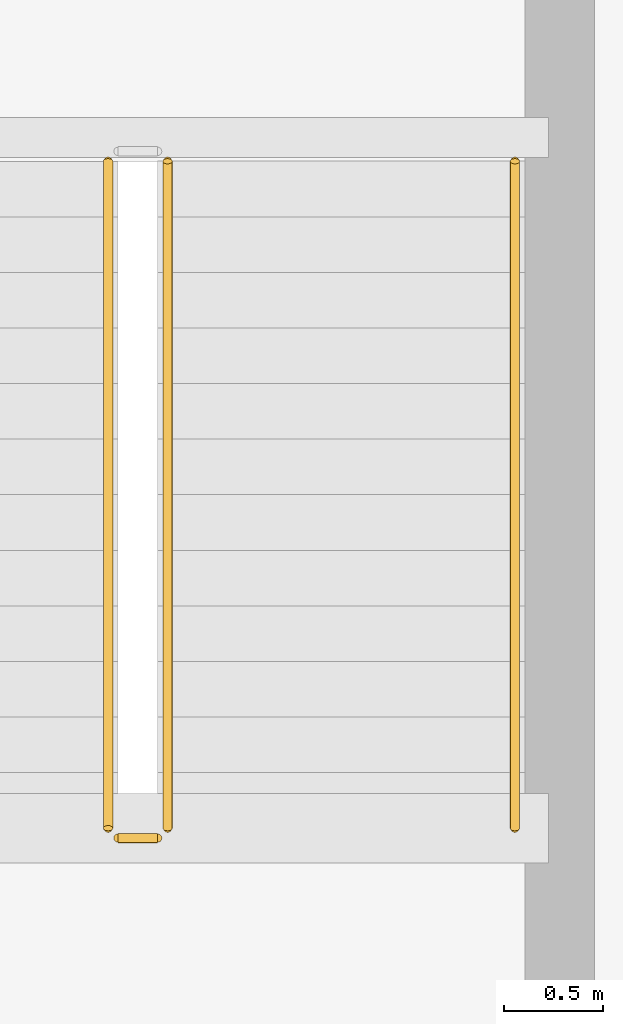
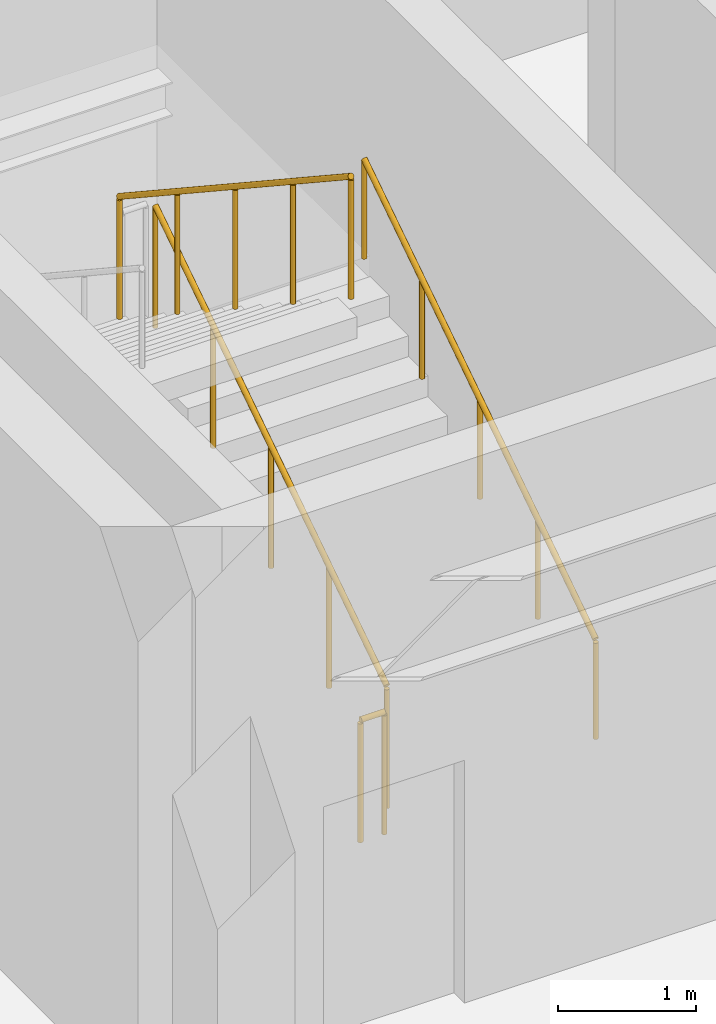
# One storey, part 55 of 62: 4 railings.
"""IFC4 building model written with IfcOpenShell, lengths in metres."""

from ifc_helpers import new_model, si_unit, direction, frame, origin, origin_2d, place, context, subcontext, project, spatial, circle, extrude, material, type_object, element, save


model = new_model("IFC4")

# Units and contexts
model_context = context("Model", 3, precision=1e-05, world=origin(), true_north=direction((0.0, 1.0)))
body_context = subcontext(model_context, "Body", "Model", "MODEL_VIEW")
ifc_project = project(units=[si_unit("LENGTHUNIT", "METRE"), si_unit("AREAUNIT", "SQUARE_METRE"), si_unit("VOLUMEUNIT", "CUBIC_METRE"), si_unit("PLANEANGLEUNIT", "RADIAN"), si_unit("MASSUNIT", "GRAM", prefix="KILO")], contexts=[model_context])

# Site, building, storey
site_placement = place(None, origin())
site = spatial("IfcSite", under=ifc_project, at=site_placement, CompositionType="ELEMENT")
building_placement = place(site_placement, origin())
building = spatial("IfcBuilding", under=site, at=building_placement, Name="Vaelkrest Opera House", CompositionType="ELEMENT")
storey_placement = place(building_placement, frame((0.0, 0.0, 19.800048828125)))
storey = spatial("IfcBuildingStorey", under=building, at=storey_placement, Name="L04", CompositionType="ELEMENT", Elevation=19.800048828125)

# Railings
ifc_material = material(Name="Dark bronze anodized aluminium", Category="aluminium")
railing_type_1 = type_object("IfcRailingType", Name="GR02", PredefinedType="GUARDRAIL", material=ifc_material)
railing_1_placement = place(storey_placement, frame((21.10009765625, -25.64990234375, 0.1845703125)))
element("IfcRailing", 1, at=railing_1_placement, inside=storey, type_object=railing_type_1, Name="L04 ST02 stair guard 1", PredefinedType="GUARDRAIL", context=body_context, shape_type="SweptSolid", body=[
    extrude(circle(Radius=0.02392578125, at=origin_2d()), frame((0.0, 0.0, 1.076171875), z_axis=(0.0, 0.834858096282, 0.550465220583), x_axis=(-1.0, 0.0, 0.0)), (0.0, 0.0, 1.0), 4.0244140625),
    extrude(circle(Radius=0.02099609375, at=origin_2d()), origin(), (0.0, 0.0, 1.0), 1.052001953125),
    extrude(circle(Radius=0.02099609375, at=origin_2d()), frame((0.0, 0.83984375, 0.5537109375)), (0.0, 0.0, 1.0), 1.052001953125),
    extrude(circle(Radius=0.02099609375, at=origin_2d()), frame((0.0, 1.679931640625, 1.107666015625)), (0.0, 0.0, 1.0), 1.052001953125),
    extrude(circle(Radius=0.02099609375, at=origin_2d()), frame((0.0, 2.52001953125, 1.66162109375)), (0.0, 0.0, 1.0), 1.052001953125),
    extrude(circle(Radius=0.02099609375, at=origin_2d()), frame((0.0, 3.35986328125, 2.21533203125)), (0.0, 0.0, 1.0), 1.052001953125),
])
railing_2_placement = place(storey_placement, frame((20.800048828125, -22.2900390625, 2.58447265625)))
element("IfcRailing", 2, at=railing_2_placement, inside=storey, type_object=railing_type_1, Name="L04 ST02 stair guard 3", PredefinedType="GUARDRAIL", context=body_context, shape_type="SweptSolid", body=[
    extrude(circle(Radius=0.02392578125, at=origin_2d()), frame((0.0, 0.0, 1.076171875), z_axis=(0.0, -0.83483021737, 0.550507500554), x_axis=(1.0, 0.0, 0.0)), (0.0, 0.0, 1.0), 4.024658203125),
    extrude(circle(Radius=0.02099609375, at=origin_2d()), origin(), (0.0, 0.0, 1.0), 1.052001953125),
    extrude(circle(Radius=0.02099609375, at=origin_2d()), frame((0.0, -0.83984375, 0.553955078125)), (0.0, 0.0, 1.0), 1.052001953125),
    extrude(circle(Radius=0.02099609375, at=origin_2d()), frame((0.0, -1.679931640625, 1.10791015625)), (0.0, 0.0, 1.0), 1.052001953125),
    extrude(circle(Radius=0.02099609375, at=origin_2d()), frame((0.0, -2.52001953125, 1.66162109375)), (0.0, 0.0, 1.0), 1.052001953125),
    extrude(circle(Radius=0.02099609375, at=origin_2d()), frame((0.0, -3.35986328125, 2.215576171875)), (0.0, 0.0, 1.0), 1.052001953125),
])
railing_3_placement = place(storey_placement, frame((21.050048828125, -25.699951171875, 0.0)))
element("IfcRailing", 3, at=railing_3_placement, inside=storey, type_object=railing_type_1, Name="L04 ST02 stair guard 4", PredefinedType="GUARDRAIL", context=body_context, shape_type="SweptSolid", body=[
    extrude(circle(Radius=0.02392578125, at=origin_2d()), frame((0.0, 0.0, 1.076171875), z_axis=(-1.0, 0.0, 0.0), x_axis=(0.0, -1.0, 0.0)), (0.0, 0.0, 1.0), 0.199951171875),
    extrude(circle(Radius=0.02099609375, at=origin_2d()), origin(), (0.0, 0.0, 1.0), 1.052001953125),
    extrude(circle(Radius=0.02099609375, at=origin_2d()), frame((-0.199951171875, 0.0, 0.0)), (0.0, 0.0, 1.0), 1.052001953125),
])
railing_type_2 = type_object("IfcRailingType", Name="HR02", PredefinedType="HANDRAIL", material=ifc_material)
railing_4_placement = place(storey_placement, frame((22.85009765625, -25.64990234375, 0.1845703125)))
element("IfcRailing", 4, at=railing_4_placement, inside=storey, type_object=railing_type_2, Name="L04 ST02 stair handrail 1", PredefinedType="HANDRAIL", context=body_context, shape_type="SweptSolid", body=[
    extrude(circle(Radius=0.02392578125, at=origin_2d()), frame((0.0, 0.0, 0.8759765625), z_axis=(0.0, 0.834858096282, 0.550465220583), x_axis=(-1.0, 0.0, 0.0)), (0.0, 0.0, 1.0), 4.0244140625),
    extrude(circle(Radius=0.02099609375, at=origin_2d()), origin(), (0.0, 0.0, 1.0), 0.851806640625),
    extrude(circle(Radius=0.02099609375, at=origin_2d()), frame((0.0, 0.83984375, 0.5537109375)), (0.0, 0.0, 1.0), 0.851806640625),
    extrude(circle(Radius=0.02099609375, at=origin_2d()), frame((0.0, 1.679931640625, 1.107666015625)), (0.0, 0.0, 1.0), 0.851806640625),
    extrude(circle(Radius=0.02099609375, at=origin_2d()), frame((0.0, 2.52001953125, 1.66162109375)), (0.0, 0.0, 1.0), 0.851806640625),
    extrude(circle(Radius=0.02099609375, at=origin_2d()), frame((0.0, 3.35986328125, 2.21533203125)), (0.0, 0.0, 1.0), 0.851806640625),
])

save(model, "model.ifc")
